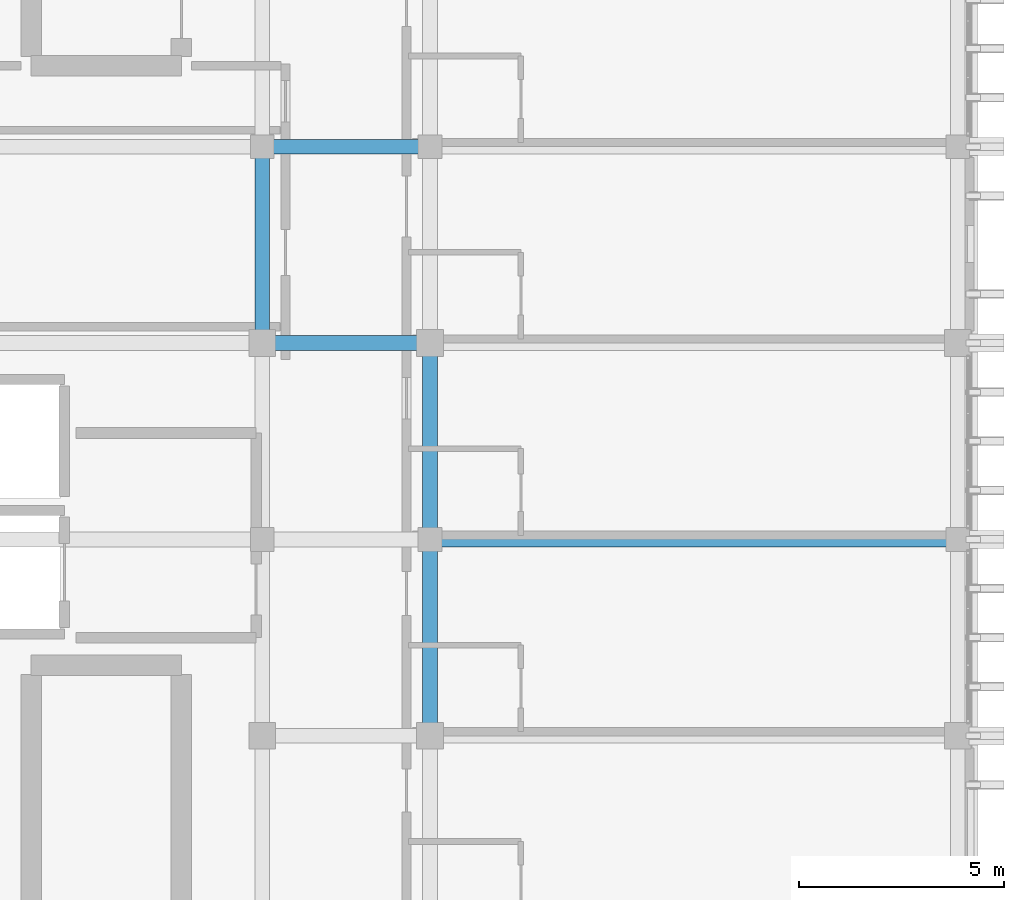
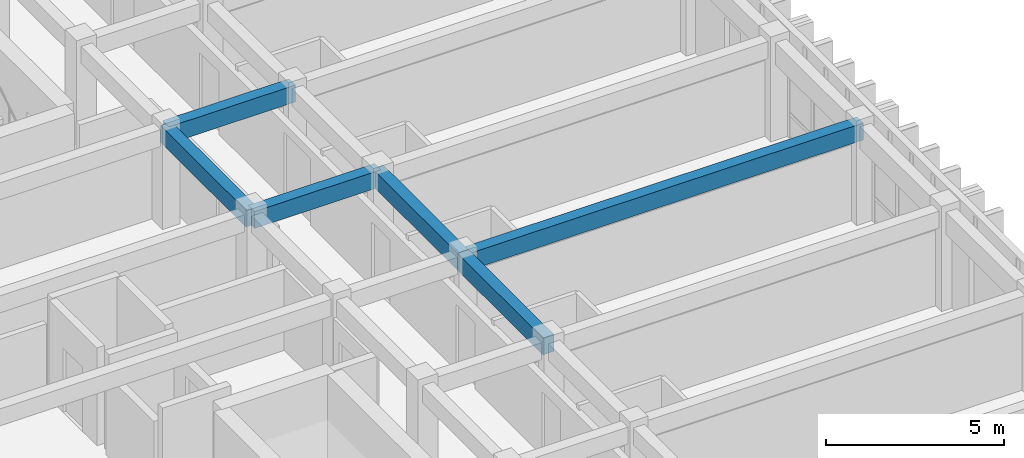
# One storey, part 22 of 49: 6 beams.
"""IFC4 building model written with IfcOpenShell, lengths in metres."""

from ifc_helpers import new_model, si_unit, direction, frame, origin, origin_2d, place, context, subcontext, project, spatial, rectangle, extrude, material, material_profile, profile_set, type_object, element, save


model = new_model("IFC4")

# Units and contexts
model_context = context("Model", 3, precision=1e-05, world=origin(), true_north=direction((0.0, 1.0)))
body_context = subcontext(model_context, "Body", "Model", "MODEL_VIEW")
ifc_project = project(units=[si_unit("LENGTHUNIT", "METRE"), si_unit("AREAUNIT", "SQUARE_METRE"), si_unit("VOLUMEUNIT", "CUBIC_METRE"), si_unit("PLANEANGLEUNIT", "RADIAN"), si_unit("MASSUNIT", "GRAM", prefix="KILO")], contexts=[model_context])

# Site, building, storey
site_placement = place(None, origin())
site = spatial("IfcSite", under=ifc_project, at=site_placement, CompositionType="ELEMENT")
building_placement = place(site_placement, origin())
building = spatial("IfcBuilding", under=site, at=building_placement, Name="Nakhvara Creek Congress Hotel", CompositionType="ELEMENT")
storey_placement = place(building_placement, frame((0.0, 0.0, 39.0)))
storey = spatial("IfcBuildingStorey", under=building, at=storey_placement, Name="L09", CompositionType="ELEMENT", Elevation=39.0)

# Beams
ifc_material = material(Name="Concrete C40/50", Category="concrete")
ifc_material_profile = material_profile(ifc_material, rectangle(XDim=0.360107421875, YDim=0.580078125, at=origin_2d()), Name="RC-BM 360x580", Category="LoadBearing")
ifc_profile_set = profile_set([ifc_material_profile], Name="Concrete C40/50")
beam_type = type_object("IfcBeamType", Name="BM-RC-360X580", PredefinedType="BEAM", material=ifc_profile_set)
beam_1_placement = place(storey_placement, frame((162.35009765625, 96.0, 3.070068359375), z_axis=(1.0, 0.0, 0.0), x_axis=(0.0, 1.0, 0.0)))
element("IfcBeam", 1, at=beam_1_placement, inside=storey, type_object=beam_type, Name="Beam B09-L09-2564", PredefinedType="BEAM", context=body_context, shape_type="SweptSolid", body=[
    extrude(rectangle(XDim=0.360107421875, YDim=0.580078125, at=origin_2d()), origin(), (0.0, 0.0, 1.0), 4.099853515625),
])
for number, where, z_axis, x_axis, name in (
    (2, (162.35009765625, 96.0, 3.070068359375), (0.0, 1.0, 0.0), (-1.0, 0.0, 0.0), "Beam B09-L09-2566"),
    (3, (166.449951171875, 86.39990234375, 3.070068359375), (0.0, 1.0, 0.0), (-1.0, 0.0, 0.0), "Beam B09-L09-2585"),
    (4, (166.449951171875, 91.199951171875, 3.070068359375), (0.0, 1.0, 0.0), (-1.0, 0.0, 0.0), "Beam B09-L09-2587"),
):
    element("IfcBeam", number, at=place(storey_placement, frame(where, z_axis=z_axis, x_axis=x_axis)), inside=storey, type_object=beam_type, Name=name, PredefinedType="BEAM", context=body_context, shape_type="SweptSolid", body=[
        extrude(rectangle(XDim=0.360107421875, YDim=0.580078125, at=origin_2d()), origin(), (0.0, 0.0, 1.0), 4.800048828125),
    ])
beam_2_placement = place(storey_placement, frame((162.35009765625, 100.800048828125, 3.070068359375), z_axis=(1.0, 0.0, 0.0), x_axis=(0.0, 1.0, 0.0)))
element("IfcBeam", 5, at=beam_2_placement, inside=storey, type_object=beam_type, Name="Beam B09-L09-2620", PredefinedType="BEAM", context=body_context, shape_type="SweptSolid", body=[
    extrude(rectangle(XDim=0.360107421875, YDim=0.580078125, at=origin_2d()), origin(), (0.0, 0.0, 1.0), 4.099853515625),
])
beam_3_placement = place(storey_placement, frame((166.449951171875, 91.199951171875, 3.070068359375), z_axis=(1.0, 0.0, 0.0), x_axis=(0.0, 1.0, 0.0)))
element("IfcBeam", 6, at=beam_3_placement, inside=storey, type_object=beam_type, Name="Beam B09-L09-2626", PredefinedType="BEAM", context=body_context, shape_type="SweptSolid", body=[
    extrude(rectangle(XDim=0.360107421875, YDim=0.580078125, at=origin_2d()), origin(), (0.0, 0.0, 1.0), 12.900146484375),
])

save(model, "model.ifc")
